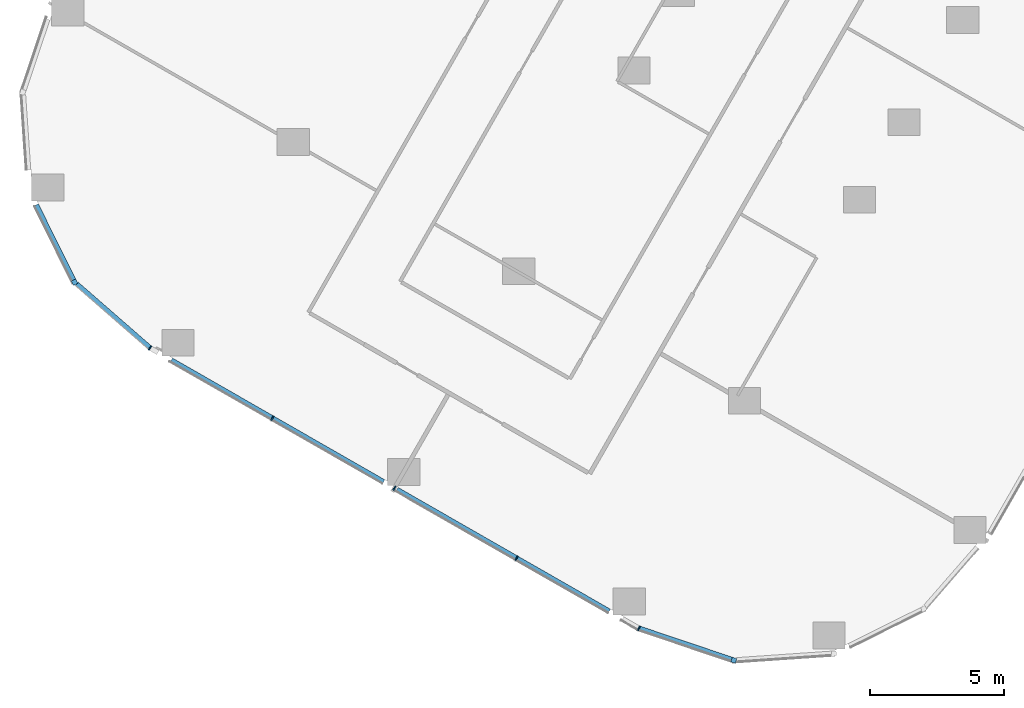
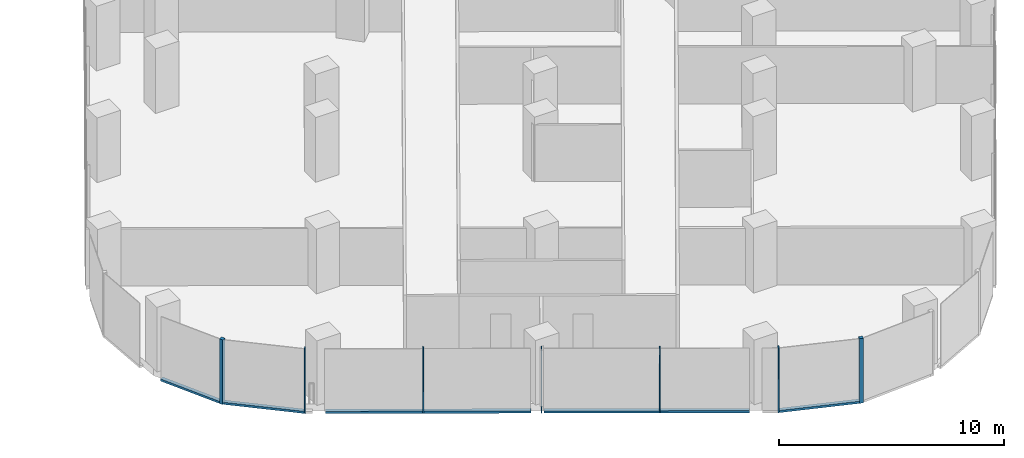
# One storey, part 2 of 34: 12 members, 4 elements without a shape of their own.
"""IFC4 building model written with IfcOpenShell, lengths in metres."""

from ifc_helpers import new_model, si_unit, direction, frame, origin, origin_2d, place, context, subcontext, project, spatial, rectangle, extrude, material, material_profile, profile_set, type_object, element, aggregate, save


model = new_model("IFC4")

# Units and contexts
model_context = context("Model", 3, precision=1e-05, world=origin(), true_north=direction((0.0, 1.0)))
body_context = subcontext(model_context, "Body", "Model", "MODEL_VIEW")
ifc_project = project(units=[si_unit("LENGTHUNIT", "METRE"), si_unit("AREAUNIT", "SQUARE_METRE"), si_unit("VOLUMEUNIT", "CUBIC_METRE"), si_unit("PLANEANGLEUNIT", "RADIAN"), si_unit("MASSUNIT", "GRAM", prefix="KILO")], contexts=[model_context])

# Site, building, storey
site_placement = place(None, origin())
site = spatial("IfcSite", under=ifc_project, at=site_placement, CompositionType="ELEMENT")
building_placement = place(site_placement, origin())
building = spatial("IfcBuilding", under=site, at=building_placement, Name="Orlundy Tower", CompositionType="ELEMENT")
storey_placement = place(building_placement, frame((0.0, 0.0, 112.699951171875)))
storey = spatial("IfcBuildingStorey", under=building, at=storey_placement, Name="L28", CompositionType="ELEMENT", Elevation=112.699951171875)

# Curtain wall, member
ifc_material_1 = material(Name="Aluminium bronze anodised", Category="aluminium")
curtain_wall_type = type_object("IfcCurtainWallType", Name="CW1 wall", PredefinedType="NOTDEFINED", material=ifc_material_1)
curtain_wall_1_placement = place(storey_placement, origin())
curtain_wall_1 = element("IfcCurtainWall", 1, at=curtain_wall_1_placement, inside=storey, type_object=curtain_wall_type, Name="CW1 run 06", PredefinedType="NOTDEFINED")
ifc_material_2 = material(Name="Aluminium bronze anodised", Category="aluminium")
ifc_material_profile_1 = material_profile(ifc_material_2, rectangle(XDim=0.179931640625, YDim=0.179931640625, at=origin_2d()), Name="CW1 corner post 180x180")
ifc_profile_set_1 = profile_set([ifc_material_profile_1], Name="Aluminium bronze anodised")
member_type_1 = type_object("IfcMemberType", Name="CW1 corner post 180x180", PredefinedType="MULLION", material=ifc_profile_set_1)
member_1_placement = place(storey_placement, frame((-16.98974609375, -58.111083984375, -0.39990234375), z_axis=(0.0, 0.0, 1.0), x_axis=(-0.318897481446, -0.947789215135, 0.0)))
member_1 = element("IfcMember", 2, at=member_1_placement, type_object=member_type_1, Name="CW1 mullion 17", PredefinedType="MULLION", context=body_context, shape_type="SweptSolid", body=[
    extrude(rectangle(XDim=0.179931640625, YDim=0.179931640625, at=origin_2d()), origin(), (0.0, 0.0, 1.0), 3.5),
])

curtain_wall_2_placement = place(storey_placement, origin())
curtain_wall_2 = element("IfcCurtainWall", 3, at=curtain_wall_2_placement, inside=storey, type_object=curtain_wall_type, Name="CW1 run 09", PredefinedType="NOTDEFINED")
member_2_placement = place(storey_placement, frame((-41.57470703125, -44.010986328125, -0.39990234375), z_axis=(0.0, 0.0, 1.0), x_axis=(-0.895450062234, -0.445161977313, 0.0)))
member_2 = element("IfcMember", 4, at=member_2_placement, type_object=member_type_1, Name="CW1 mullion 23", PredefinedType="MULLION", context=body_context, shape_type="SweptSolid", body=[
    extrude(rectangle(XDim=0.179931640625, YDim=0.179931640625, at=origin_2d()), origin(), (0.0, 0.0, 1.0), 3.5),
])

# Curtain wall, members
curtain_wall_3_placement = place(storey_placement, origin())
curtain_wall_3 = element("IfcCurtainWall", 5, at=curtain_wall_3_placement, inside=storey, type_object=curtain_wall_type, Name="CW1 run 07", PredefinedType="NOTDEFINED")
ifc_material_3 = material(Name="Aluminium bronze anodised", Category="aluminium")
ifc_material_profile_2 = material_profile(ifc_material_3, rectangle(XDim=0.179931640625, YDim=0.050048828125, at=origin_2d()), Name="CW1 mullion 50x180")
ifc_profile_set_2 = profile_set([ifc_material_profile_2], Name="Aluminium bronze anodised")
member_type_2 = type_object("IfcMemberType", Name="CW1 mullion 50x180", PredefinedType="MULLION", material=ifc_profile_set_2)
member_3_placement = place(storey_placement, frame((-20.528076171875, -56.92041015625, -0.39990234375), z_axis=(0.0, 0.0, 1.0), x_axis=(-0.410157590109, -0.912014666152, 0.0)))
member_3 = element("IfcMember", 6, at=member_3_placement, type_object=member_type_2, Name="CW1 mullion 18", PredefinedType="MULLION", context=body_context, shape_type="SweptSolid", body=[
    extrude(rectangle(XDim=0.179931640625, YDim=0.050048828125, at=origin_2d()), origin(), (0.0, 0.0, 1.0), 3.5),
])
member_4_placement = place(storey_placement, frame((-25.090087890625, -54.304443359375, -0.39990234375), z_axis=(0.0, 0.0, 1.0), x_axis=(-0.497476812036, -0.867477274334, 0.0)))
member_4 = element("IfcMember", 7, at=member_4_placement, type_object=member_type_2, Name="CW1 mullion 19", PredefinedType="MULLION", context=body_context, shape_type="SweptSolid", body=[
    extrude(rectangle(XDim=0.179931640625, YDim=0.050048828125, at=origin_2d()), origin(), (0.0, 0.0, 1.0), 3.5),
])
member_5_placement = place(storey_placement, frame((-29.644287109375, -51.692626953125, -0.39990234375), z_axis=(0.0, 0.0, 1.0), x_axis=(-0.497476812036, -0.867477274334, 0.0)))
member_5 = element("IfcMember", 8, at=member_5_placement, type_object=member_type_2, Name="CW1 mullion 20", PredefinedType="MULLION", context=body_context, shape_type="SweptSolid", body=[
    extrude(rectangle(XDim=0.179931640625, YDim=0.050048828125, at=origin_2d()), origin(), (0.0, 0.0, 1.0), 3.5),
])
member_6_placement = place(storey_placement, frame((-34.198486328125, -49.080810546875, -0.39990234375), z_axis=(0.0, 0.0, 1.0), x_axis=(-0.497476812036, -0.867477274334, 0.0)))
member_6 = element("IfcMember", 9, at=member_6_placement, type_object=member_type_2, Name="CW1 mullion 21", PredefinedType="MULLION", context=body_context, shape_type="SweptSolid", body=[
    extrude(rectangle(XDim=0.179931640625, YDim=0.050048828125, at=origin_2d()), origin(), (0.0, 0.0, 1.0), 3.5),
])

# Curtain wall, member
curtain_wall_4_placement = place(storey_placement, origin())
curtain_wall_4 = element("IfcCurtainWall", 10, at=curtain_wall_4_placement, inside=storey, type_object=curtain_wall_type, Name="CW1 run 08", PredefinedType="NOTDEFINED")
member_7_placement = place(storey_placement, frame((-38.760498046875, -46.464599609375, -0.39990234375), z_axis=(0.0, 0.0, 1.0), x_axis=(-0.580115605379, -0.814534151768, 0.0)))
member_7 = element("IfcMember", 11, at=member_7_placement, type_object=member_type_2, Name="CW1 mullion 22", PredefinedType="MULLION", context=body_context, shape_type="SweptSolid", body=[
    extrude(rectangle(XDim=0.179931640625, YDim=0.050048828125, at=origin_2d()), origin(), (0.0, 0.0, 1.0), 3.5),
])

# Member
ifc_material_4 = material(Name="Aluminium bronze anodised", Category="aluminium")
ifc_material_profile_3 = material_profile(ifc_material_4, rectangle(XDim=0.179931640625, YDim=0.1201171875, at=origin_2d()), Name="CW1 transom 180x120")
ifc_profile_set_3 = profile_set([ifc_material_profile_3], Name="Aluminium bronze anodised")
member_type_3 = type_object("IfcMemberType", Name="CW1 transom 180x120", PredefinedType="USERDEFINED", material=ifc_profile_set_3)
member_8_placement = place(storey_placement, frame((-17.074951171875, -58.082275390625, -0.33984375), z_axis=(-0.947795693526, 0.318878226497, 0.0), x_axis=(-0.318878226497, -0.947795693526, 0.0)))
member_8 = element("IfcMember", 12, at=member_8_placement, type_object=member_type_3, Name="CW1 transom", ObjectType="TRANSOM", PredefinedType="USERDEFINED", context=body_context, shape_type="SweptSolid", body=[
    extrude(rectangle(XDim=0.179931640625, YDim=0.1201171875, at=origin_2d()), origin(), (0.0, 0.0, 1.0), 3.618408203125),
])

aggregate(curtain_wall_1, [member_1, member_8])

member_9_placement = place(storey_placement, frame((-21.636962890625, -56.28466796875, -0.33984375), z_axis=(-0.867470097541, 0.49748932639, 0.0), x_axis=(-0.49748932639, -0.867470097541, 0.0)))
member_9 = element("IfcMember", 13, at=member_9_placement, type_object=member_type_3, Name="CW1 transom", ObjectType="TRANSOM", PredefinedType="USERDEFINED", context=body_context, shape_type="SweptSolid", body=[
    extrude(rectangle(XDim=0.179931640625, YDim=0.1201171875, at=origin_2d()), origin(), (0.0, 0.0, 1.0), 9.12744140625),
])

member_10_placement = place(storey_placement, frame((-30.051025390625, -51.459228515625, -0.33984375), z_axis=(-0.867479944708, 0.497472155532, 0.0), x_axis=(-0.497472155532, -0.867479944708, 0.0)))
member_10 = element("IfcMember", 14, at=member_10_placement, type_object=member_type_3, Name="CW1 transom", ObjectType="TRANSOM", PredefinedType="USERDEFINED", context=body_context, shape_type="SweptSolid", body=[
    extrude(rectangle(XDim=0.179931640625, YDim=0.1201171875, at=origin_2d()), origin(), (0.0, 0.0, 1.0), 9.126708984375),
])

aggregate(curtain_wall_3, [member_3, member_4, member_5, member_6, member_9, member_10])

member_11_placement = place(storey_placement, frame((-38.779296875, -46.4482421875, -0.33984375), z_axis=(-0.753760708351, 0.657148989611, 0.0), x_axis=(-0.657148989611, -0.753760708351, 0.0)))
member_11 = element("IfcMember", 15, at=member_11_placement, type_object=member_type_3, Name="CW1 transom", ObjectType="TRANSOM", PredefinedType="USERDEFINED", context=body_context, shape_type="SweptSolid", body=[
    extrude(rectangle(XDim=0.179931640625, YDim=0.1201171875, at=origin_2d()), origin(), (0.0, 0.0, 1.0), 3.611083984375),
])

aggregate(curtain_wall_4, [member_7, member_11])

member_12_placement = place(storey_placement, frame((-41.61474609375, -43.930419921875, -0.33984375), z_axis=(-0.445120991027, 0.895470436892, 0.0), x_axis=(-0.895470436892, -0.445120991027, 0.0)))
member_12 = element("IfcMember", 16, at=member_12_placement, type_object=member_type_3, Name="CW1 transom", ObjectType="TRANSOM", PredefinedType="USERDEFINED", context=body_context, shape_type="SweptSolid", body=[
    extrude(rectangle(XDim=0.179931640625, YDim=0.1201171875, at=origin_2d()), origin(), (0.0, 0.0, 1.0), 3.12841796875),
])

aggregate(curtain_wall_2, [member_2, member_12])

save(model, "model.ifc")
